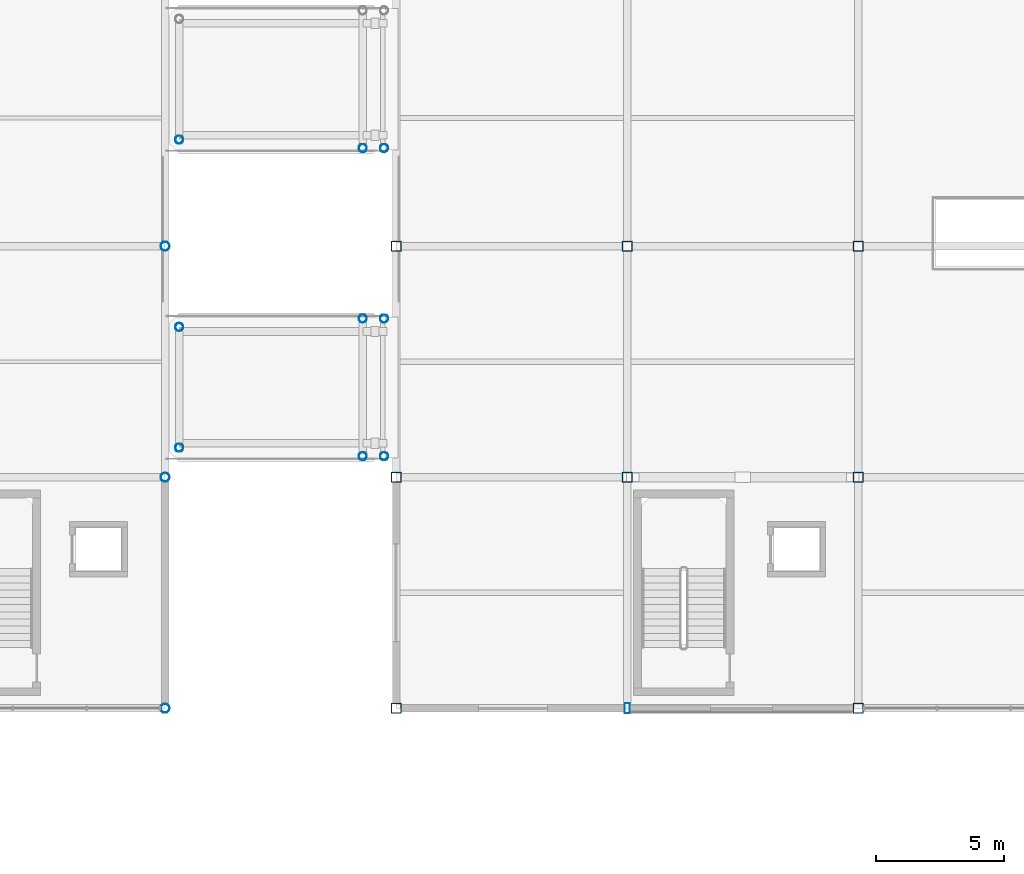
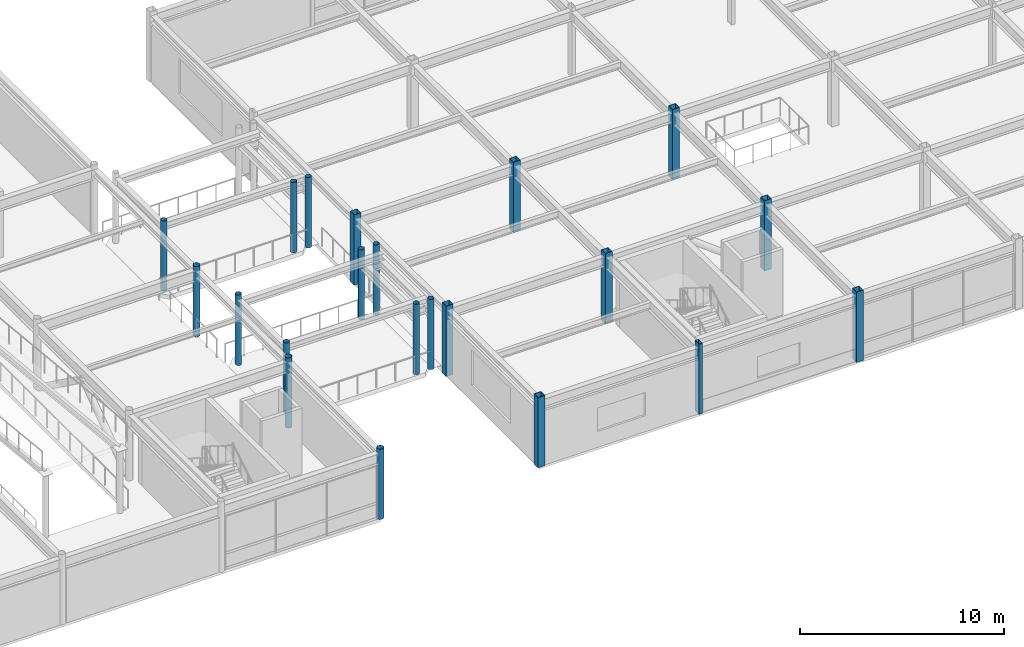
# One storey, part 3 of 70: 21 columns.
"""IFC4 building model written with IfcOpenShell, lengths in metres."""

from ifc_helpers import new_model, si_unit, direction, frame, origin, origin_2d, place, context, subcontext, project, spatial, hollow_rectangle, hollow_circle, extrude, material, material_profile, profile_set, type_object, element, save


model = new_model("IFC4")

# Units and contexts
model_context = context("Model", 3, precision=1e-05, world=origin(), true_north=direction((0.0, 1.0)))
body_context = subcontext(model_context, "Body", "Model", "MODEL_VIEW")
ifc_project = project(units=[si_unit("LENGTHUNIT", "METRE"), si_unit("AREAUNIT", "SQUARE_METRE"), si_unit("VOLUMEUNIT", "CUBIC_METRE"), si_unit("PLANEANGLEUNIT", "RADIAN"), si_unit("MASSUNIT", "GRAM", prefix="KILO")], contexts=[model_context])

# Site, building, storey
site_placement = place(None, origin())
site = spatial("IfcSite", under=ifc_project, at=site_placement, CompositionType="ELEMENT")
building_placement = place(site_placement, origin())
building = spatial("IfcBuilding", under=site, at=building_placement, Name="Suzunagisa Mobility Hub", CompositionType="ELEMENT")
storey_placement = place(building_placement, frame((0.0, 0.0, 13.5)))
storey = spatial("IfcBuildingStorey", under=building, at=storey_placement, Name="L03", CompositionType="ELEMENT", Elevation=13.5)

# Columns
ifc_material = material(Name="Steel SN490B", Category="steel")
ifc_material_profile_1 = material_profile(ifc_material, hollow_rectangle(XDim=0.199951171875, YDim=0.39990234375, WallThickness=0.011962890625, at=origin_2d()), Name="RHS-400x200x12")
ifc_profile_set_1 = profile_set([ifc_material_profile_1], Name="Steel SN490B")
column_type_1 = type_object("IfcColumnType", Name="Steel Column CL-03 RHS-400x200x12", PredefinedType="COLUMN", material=ifc_profile_set_1)
column_placement = place(storey_placement, frame((54.0, 80.0, 0.0), z_axis=(0.0, 0.0, 1.0), x_axis=(1.0, 0.0, 0.0)))
element("IfcColumn", 1, at=column_placement, inside=storey, type_object=column_type_1, Name="L03 Column 129", PredefinedType="COLUMN", context=body_context, shape_type="SweptSolid", body=[
    extrude(hollow_rectangle(XDim=0.199951171875, YDim=0.39990234375, WallThickness=0.011962890625, at=origin_2d()), origin(), (0.0, 0.0, 1.0), 4.199951171875),
])
ifc_material_profile_2 = material_profile(ifc_material, hollow_circle(Radius=0.1591796875, WallThickness=0.01025390625, at=origin_2d()), Name="CHS-318.5x10.3")
ifc_profile_set_2 = profile_set([ifc_material_profile_2], Name="Steel SN490B")
column_type_2 = type_object("IfcColumnType", Name="Steel Column CL-09 CHS-318.5x10.3", PredefinedType="COLUMN", material=ifc_profile_set_2)
for number, where, z_axis, x_axis, name in (
    (2, (36.550048828125, 90.14990234375, 0.0), (0.0, 0.0, 1.0), (1.0, 0.0, 0.0), "L03 Column 92"),
    (3, (36.550048828125, 94.85009765625, 0.0), (0.0, 0.0, 1.0), (1.0, 0.0, 0.0), "L03 Column 93"),
    (4, (36.550048828125, 102.14990234375, 0.0), (0.0, 0.0, 1.0), (1.0, 0.0, 0.0), "L03 Column 94"),
    (5, (43.699951171875, 89.820068359375, 0.0), (0.0, 0.0, 1.0), (1.0, 0.0, 0.0), "L03 Column 105"),
    (6, (43.699951171875, 95.179931640625, 0.0), (0.0, 0.0, 1.0), (1.0, 0.0, 0.0), "L03 Column 106"),
    (7, (43.699951171875, 101.820068359375, 0.0), (0.0, 0.0, 1.0), (1.0, 0.0, 0.0), "L03 Column 107"),
    (8, (44.530029296875, 89.820068359375, 0.0), (0.0, 0.0, 1.0), (1.0, 0.0, 0.0), "L03 Column 111"),
    (9, (44.530029296875, 95.179931640625, 0.0), (0.0, 0.0, 1.0), (1.0, 0.0, 0.0), "L03 Column 112"),
    (10, (44.530029296875, 101.820068359375, 0.0), (0.0, 0.0, 1.0), (1.0, 0.0, 0.0), "L03 Column 113"),
):
    element("IfcColumn", number, at=place(storey_placement, frame(where, z_axis=z_axis, x_axis=x_axis)), inside=storey, type_object=column_type_2, Name=name, PredefinedType="COLUMN", context=body_context, shape_type="SweptSolid", body=[
        extrude(hollow_circle(Radius=0.1591796875, WallThickness=0.01025390625, at=origin_2d()), origin(), (0.0, 0.0, 1.0), 4.199951171875),
    ])
ifc_material_profile_3 = material_profile(ifc_material, hollow_rectangle(XDim=0.39990234375, YDim=0.39990234375, WallThickness=0.01904296875, at=origin_2d()), Name="BCR-400x400x19")
ifc_profile_set_3 = profile_set([ifc_material_profile_3], Name="Steel SN490B")
column_type_3 = type_object("IfcColumnType", Name="Steel Column CL-13 BCR-400x400x19", PredefinedType="COLUMN", material=ifc_profile_set_3)
for number, where, z_axis, x_axis, name in (
    (11, (45.0, 80.0, 0.0), (0.0, 0.0, 1.0), (1.0, 0.0, 0.0), "L03 Column 118"),
    (12, (45.0, 89.0, 0.0), (0.0, 0.0, 1.0), (1.0, 0.0, 0.0), "L03 Column 119"),
    (13, (45.0, 98.0, 0.0), (0.0, 0.0, 1.0), (1.0, 0.0, 0.0), "L03 Column 120"),
    (14, (54.0, 89.0, 0.0), (0.0, 0.0, 1.0), (1.0, 0.0, 0.0), "L03 Column 130"),
    (15, (54.0, 98.0, 0.0), (0.0, 0.0, 1.0), (1.0, 0.0, 0.0), "L03 Column 131"),
    (16, (63.0, 80.0, 0.0), (0.0, 0.0, 1.0), (1.0, 0.0, 0.0), "L03 Column 138"),
    (17, (63.0, 89.0, 0.0), (0.0, 0.0, 1.0), (1.0, 0.0, 0.0), "L03 Column 139"),
    (18, (63.0, 98.0, 0.0), (0.0, 0.0, 1.0), (1.0, 0.0, 0.0), "L03 Column 140"),
):
    element("IfcColumn", number, at=place(storey_placement, frame(where, z_axis=z_axis, x_axis=x_axis)), inside=storey, type_object=column_type_3, Name=name, PredefinedType="COLUMN", context=body_context, shape_type="SweptSolid", body=[
        extrude(hollow_rectangle(XDim=0.39990234375, YDim=0.39990234375, WallThickness=0.01904296875, at=origin_2d()), origin(), (0.0, 0.0, 1.0), 4.199951171875),
    ])
ifc_material_profile_4 = material_profile(ifc_material, hollow_circle(Radius=0.177734375, WallThickness=0.0126953125, at=origin_2d()), Name="CHS-355.6x12.7")
ifc_profile_set_4 = profile_set([ifc_material_profile_4], Name="Steel SN490B")
column_type_4 = type_object("IfcColumnType", Name="Steel Column CL-18 CHS-355.6x12.7", PredefinedType="COLUMN", material=ifc_profile_set_4)
for number, where, z_axis, x_axis, name in (
    (19, (36.0, 80.0, 0.0), (0.0, 0.0, 1.0), (1.0, 0.0, 0.0), "L03 Column 85"),
    (20, (36.0, 89.0, 0.0), (0.0, 0.0, 1.0), (1.0, 0.0, 0.0), "L03 Column 86"),
    (21, (36.0, 98.0, 0.0), (0.0, 0.0, 1.0), (1.0, 0.0, 0.0), "L03 Column 87"),
):
    element("IfcColumn", number, at=place(storey_placement, frame(where, z_axis=z_axis, x_axis=x_axis)), inside=storey, type_object=column_type_4, Name=name, PredefinedType="COLUMN", context=body_context, shape_type="SweptSolid", body=[
        extrude(hollow_circle(Radius=0.177734375, WallThickness=0.0126953125, at=origin_2d()), origin(), (0.0, 0.0, 1.0), 4.199951171875),
    ])

save(model, "model.ifc")
